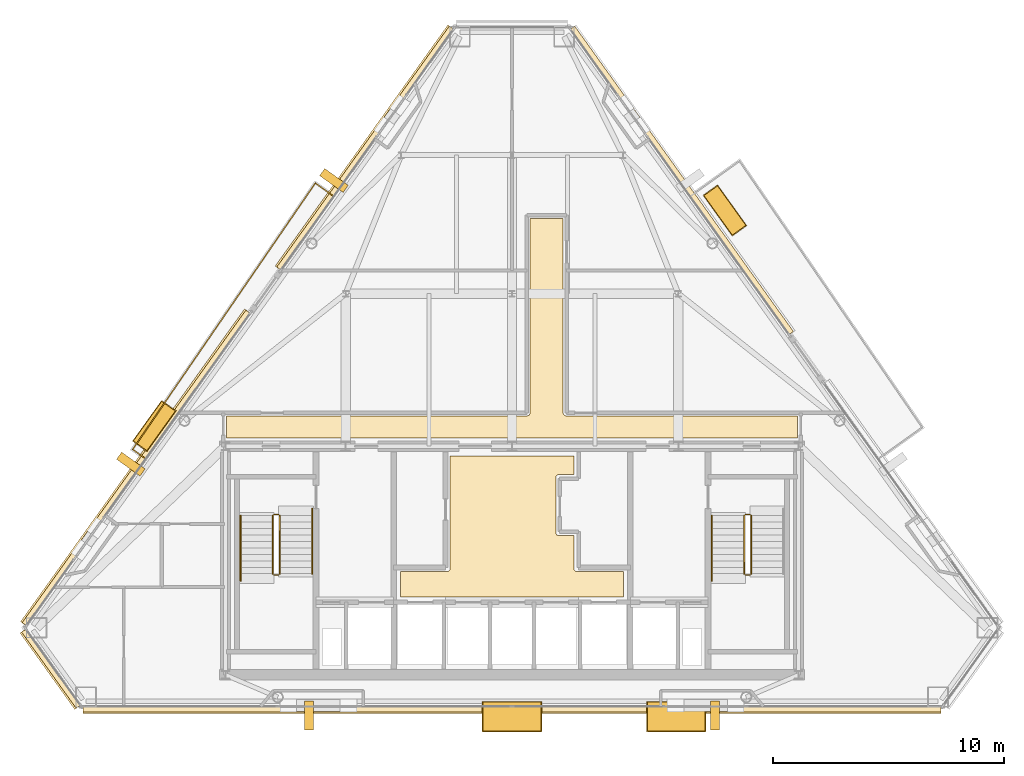
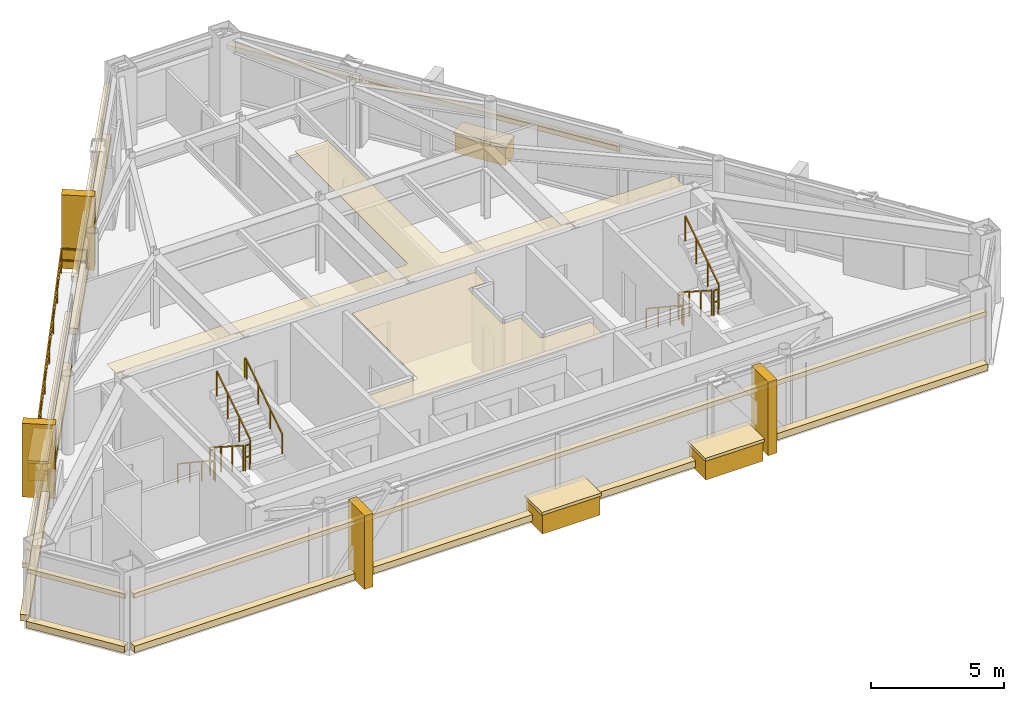
# One storey, part 11 of 12: 23 coverings, 12 railings.
"""IFC4 building model written with IfcOpenShell, lengths in metres."""

from ifc_helpers import new_model, si_unit, direction, frame, origin, origin_2d, place, context, subcontext, project, spatial, polyline, rectangle, outline, extrude, material, layer, layer_set, type_object, element, save


model = new_model("IFC4")

# Units and contexts
model_context = context("Model", 3, precision=1e-05, world=origin(), true_north=direction((0.0, 1.0)))
body_context = subcontext(model_context, "Body", "Model", "MODEL_VIEW")
ifc_project = project(units=[si_unit("LENGTHUNIT", "METRE"), si_unit("AREAUNIT", "SQUARE_METRE"), si_unit("VOLUMEUNIT", "CUBIC_METRE"), si_unit("PLANEANGLEUNIT", "RADIAN"), si_unit("MASSUNIT", "GRAM", prefix="KILO")], contexts=[model_context])

# Site, building, storey
site_placement = place(None, origin())
site = spatial("IfcSite", under=ifc_project, at=site_placement, CompositionType="ELEMENT")
building_placement = place(site_placement, origin())
building = spatial("IfcBuilding", under=site, at=building_placement, Name="Talgorran Terracotta Tower", CompositionType="ELEMENT")
storey_placement = place(building_placement, frame((0.0, 0.0, 252.60009765625)))
storey = spatial("IfcBuildingStorey", under=building, at=storey_placement, Name="L66", CompositionType="ELEMENT", Elevation=252.60009765625)

# Coverings
ifc_material_1 = material(Name="Kiln-Fired Terracotta Ochre Ceramic", Category="masonry")
ifc_layer_1 = layer(ifc_material_1, 0.179931640625, Name="COV_BAGUETTE_TERRACOTTA_SCREEN")
ifc_layer_set_1 = layer_set([ifc_layer_1], Name="Kiln-Fired Terracotta Ochre Ceramic")
covering_type_1 = type_object("IfcCoveringType", Name="COV_BAGUETTE_TERRACOTTA_SCREEN", PredefinedType="CLADDING", material=ifc_layer_set_1)
covering_1_placement = place(storey_placement, frame((-19.938720703125, -13.818115234375, 2.41015625), z_axis=(0.0, 0.0, 1.0), x_axis=(0.582222304811, -0.813029635242, 0.0)))
element("IfcCovering", 1, at=covering_1_placement, inside=storey, type_object=covering_type_1, Name="L66 Terracotta Baguette Solar Screen Assembly F0", PredefinedType="CLADDING", context=body_context, shape_type="SweptSolid", body=[
    extrude(rectangle(XDim=4.050048828125, YDim=0.260009765625, at=origin_2d()), origin(), (0.0, 0.0, 1.0), 0.219970703125),
])
covering_2_placement = place(storey_placement, frame((0.0, -15.563232421875, 2.41015625), z_axis=(0.0, 0.0, 1.0), x_axis=(1.0, 0.0, 0.0)))
element("IfcCovering", 2, at=covering_2_placement, inside=storey, type_object=covering_type_1, Name="L66 Terracotta Baguette Solar Screen Assembly F1", PredefinedType="CLADDING", context=body_context, shape_type="SweptSolid", body=[
    extrude(rectangle(XDim=37.13525390625, YDim=0.260009765625, at=origin_2d()), origin(), (0.0, 0.0, 1.0), 0.219970703125),
])
covering_3_placement = place(storey_placement, frame((7.3408203125, 7.297607421875, 2.41015625), z_axis=(0.0, 0.0, 1.0), x_axis=(-0.582208114678, 0.813039796814, 0.0)))
element("IfcCovering", 3, at=covering_3_placement, inside=storey, type_object=covering_type_1, Name="L66 Terracotta Baguette Solar Screen Assembly F41", PredefinedType="CLADDING", context=body_context, shape_type="SweptSolid", body=[
    extrude(rectangle(XDim=16.254638671875, YDim=0.260009765625, at=origin_2d()), origin(), (0.0, 0.0, 1.0), 0.219970703125),
])
covering_4_placement = place(storey_placement, frame((-6.341552734375, 8.693115234375, 2.41015625), z_axis=(0.0, 0.0, 1.0), x_axis=(-0.582208114678, -0.813039796814, 0.0)))
element("IfcCovering", 4, at=covering_4_placement, inside=storey, type_object=covering_type_1, Name="L66 Terracotta Baguette Solar Screen Assembly F60", PredefinedType="CLADDING", context=body_context, shape_type="SweptSolid", body=[
    extrude(rectangle(XDim=12.822021484375, YDim=0.260009765625, at=origin_2d()), origin(), (0.0, 0.0, 1.0), 0.219970703125),
])
covering_5_placement = place(storey_placement, frame((-16.253662109375, -5.149169921875, 2.41015625), z_axis=(0.0, 0.0, 1.0), x_axis=(-0.582208114678, -0.813039796814, 0.0)))
element("IfcCovering", 5, at=covering_5_placement, inside=storey, type_object=covering_type_1, Name="L66 Terracotta Baguette Solar Screen Assembly F61", PredefinedType="CLADDING", context=body_context, shape_type="SweptSolid", body=[
    extrude(rectangle(XDim=16.628662109375, YDim=0.260009765625, at=origin_2d()), origin(), (0.0, 0.0, 1.0), 0.219970703125),
])
ifc_material_2 = material(Name="Mineral Fibre Acoustic Tile")
ifc_layer_2 = layer(ifc_material_2, 0.02490234375, Name="COV_CEIL_ACOUSTIC")
ifc_layer_set_2 = layer_set([ifc_layer_2], Name="Mineral Fibre Acoustic Tile")
covering_type_2 = type_object("IfcCoveringType", Name="COV_CEIL_ACOUSTIC", PredefinedType="CEILING", material=ifc_layer_set_2)
covering_6_placement = place(storey_placement, frame((0.0, 0.0, 3.2548828125)))
element("IfcCovering", 6, at=covering_6_placement, inside=storey, type_object=covering_type_2, Name="CEIL-L66-2", PredefinedType="CEILING", context=body_context, shape_type="SweptSolid", body=[
    extrude(outline(polyline([(-12.364990234375, -2.885009765625), (0.64990234375, -2.885009765625), (0.66162109375, -2.884521484375), (0.67333984375, -2.8828125), (0.6845703125, -2.8798828125), (0.69287109375, -2.87744140625), (0.7041015625, -2.87353515625), (0.714599609375, -2.868408203125), (0.724853515625, -2.8623046875), (0.734375, -2.85546875), (0.742919921875, -2.847412109375), (0.7509765625, -2.8388671875), (0.756591796875, -2.83203125), (0.763671875, -2.822509765625), (0.769775390625, -2.8125), (0.774658203125, -2.8017578125), (0.77880859375, -2.79052734375), (0.781494140625, -2.779296875), (0.783203125, -2.767578125), (0.783935546875, -2.755615234375), (0.784912109375, 5.6650390625), (2.215087890625, 5.6650390625), (2.215087890625, -2.75), (2.215576171875, -2.76171875), (2.21728515625, -2.773193359375), (2.22021484375, -2.78466796875), (2.22265625, -2.79296875), (2.2265625, -2.803955078125), (2.231689453125, -2.814697265625), (2.237548828125, -2.82470703125), (2.24462890625, -2.834228515625), (2.25244140625, -2.843017578125), (2.26123046875, -2.850830078125), (2.26806640625, -2.8564453125), (2.277587890625, -2.863525390625), (2.28759765625, -2.86962890625), (2.29833984375, -2.874755859375), (2.309326171875, -2.878662109375), (2.32080078125, -2.881591796875), (2.33251953125, -2.88330078125), (2.34423828125, -2.8837890625), (12.364990234375, -2.885009765625), (12.364990234375, -3.844970703125), (7.432861328125, -3.844970703125), (6.968017578125, -3.843017578125), (6.967529296875, -3.843017578125), (0.232666015625, -3.844970703125), (-0.23193359375, -3.843017578125), (-0.232421875, -3.843017578125), (-6.96728515625, -3.844970703125), (-7.431884765625, -3.843017578125), (-7.4326171875, -3.843017578125), (-12.364990234375, -3.844970703125), (-12.364990234375, -2.885009765625)])), origin(), (0.0, 0.0, 1.0), 0.02001953125),
])
ifc_material_3 = material(Name="Flush Moisture-Resistant Plaster")
ifc_layer_3 = layer(ifc_material_3, 0.01806640625, Name="COV_CEIL_PLASTER")
ifc_layer_set_3 = layer_set([ifc_layer_3], Name="Flush Moisture-Resistant Plaster")
covering_type_3 = type_object("IfcCoveringType", Name="COV_CEIL_PLASTER", PredefinedType="CEILING", material=ifc_layer_set_3)
covering_7_placement = place(storey_placement, frame((0.0, 0.0, 3.2548828125)))
element("IfcCovering", 7, at=covering_7_placement, inside=storey, type_object=covering_type_3, Name="CEIL-L66-1", PredefinedType="CEILING", context=body_context, shape_type="SweptSolid", body=[
    extrude(outline(polyline([(4.830078125, -9.6201171875), (4.830078125, -10.72998046875), (-4.830078125, -10.72998046875), (-4.830078125, -9.6201171875), (-2.800048828125, -9.6201171875), (-2.7880859375, -9.619384765625), (-2.776611328125, -9.61767578125), (-2.76513671875, -9.61474609375), (-2.754150390625, -9.61083984375), (-2.743408203125, -9.605712890625), (-2.7333984375, -9.599853515625), (-2.723876953125, -9.5927734375), (-2.715087890625, -9.5849609375), (-2.707275390625, -9.576171875), (-2.7001953125, -9.566650390625), (-2.694091796875, -9.556640625), (-2.689208984375, -9.5458984375), (-2.685302734375, -9.534912109375), (-2.682373046875, -9.5234375), (-2.6806640625, -9.51171875), (-2.679931640625, -9.5), (-2.679931640625, -4.6201171875), (2.679931640625, -4.6201171875), (2.679931640625, -5.429931640625), (2.02001953125, -5.429931640625), (2.00830078125, -5.4306640625), (1.99658203125, -5.432373046875), (1.985107421875, -5.435302734375), (1.97412109375, -5.439208984375), (1.96337890625, -5.444091796875), (1.953369140625, -5.4501953125), (1.94384765625, -5.457275390625), (1.93505859375, -5.465087890625), (1.92724609375, -5.473876953125), (1.920166015625, -5.4833984375), (1.914306640625, -5.493408203125), (1.9091796875, -5.504150390625), (1.9052734375, -5.51513671875), (1.90234375, -5.526611328125), (1.900634765625, -5.5380859375), (1.89990234375, -5.550048828125), (1.89990234375, -7.949951171875), (1.900634765625, -7.9619140625), (1.90234375, -7.973388671875), (1.9052734375, -7.98486328125), (1.9091796875, -7.995849609375), (1.914306640625, -8.006591796875), (1.920166015625, -8.0166015625), (1.92724609375, -8.026123046875), (1.93505859375, -8.034912109375), (1.94384765625, -8.042724609375), (1.953369140625, -8.0498046875), (1.96337890625, -8.055908203125), (1.97412109375, -8.060791015625), (1.985107421875, -8.064697265625), (1.99658203125, -8.067626953125), (2.00830078125, -8.0693359375), (2.02001953125, -8.070068359375), (2.679931640625, -8.070068359375), (2.679931640625, -9.5), (2.6806640625, -9.51171875), (2.682373046875, -9.5234375), (2.685302734375, -9.534912109375), (2.689208984375, -9.5458984375), (2.694091796875, -9.556640625), (2.7001953125, -9.566650390625), (2.707275390625, -9.576171875), (2.715087890625, -9.5849609375), (2.723876953125, -9.5927734375), (2.7333984375, -9.599853515625), (2.743408203125, -9.605712890625), (2.754150390625, -9.61083984375), (2.76513671875, -9.61474609375), (2.776611328125, -9.61767578125), (2.7880859375, -9.619384765625), (2.800048828125, -9.6201171875), (4.830078125, -9.6201171875)])), origin(), (0.0, 0.0, 1.0), 0.02001953125),
])
ifc_material_4 = material(Name="Honed Limestone and Terracotta Planter", Category="masonry")
ifc_layer_4 = layer(ifc_material_4, 0.1201171875, Name="COV_PLANTER_BOX")
ifc_layer_set_4 = layer_set([ifc_layer_4], Name="Honed Limestone and Terracotta Planter")
covering_type_4 = type_object("IfcCoveringType", Name="COV_PLANTER_BOX", PredefinedType="CLADDING", material=ifc_layer_set_4)
for number, where, z_axis, x_axis, name in (
    (8, (0.0, -15.9033203125, -0.18017578125), (0.0, 0.0, 1.0), (1.0, 0.0, 0.0), "L66 Staggered South Facade Planter Box 1"),
    (9, (7.105712890625, -15.9033203125, -0.18017578125), (0.0, 0.0, 1.0), (1.0, 0.0, 0.0), "L66 Staggered South Facade Planter Box 2"),
):
    element("IfcCovering", number, at=place(storey_placement, frame(where, z_axis=z_axis, x_axis=x_axis)), inside=storey, type_object=covering_type_4, Name=name, PredefinedType="CLADDING", context=body_context, shape_type="SweptSolid", body=[
        extrude(rectangle(XDim=2.5, YDim=1.25, at=origin_2d()), origin(), (0.0, 0.0, 1.0), 0.919921875),
    ])
for number, where, z_axis, x_axis, name in (
    (10, (9.215087890625, 6.002685546875, -0.02001953125), (0.0, 0.0, 1.0), (-0.582208114678, 0.813039796814, 0.0), "L66 Staggered Balcony Planter Box BAL-NE"),
    (11, (-15.482177734375, -3.324462890625, -0.02001953125), (0.0, 0.0, 1.0), (-0.582208114678, -0.813039796814, 0.0), "L66 Staggered Balcony Planter Box BAL-NW"),
):
    element("IfcCovering", number, at=place(storey_placement, frame(where, z_axis=z_axis, x_axis=x_axis)), inside=storey, type_object=covering_type_4, Name=name, PredefinedType="CLADDING", context=body_context, shape_type="SweptSolid", body=[
        extrude(rectangle(XDim=2.10009765625, YDim=0.719970703125, at=origin_2d()), origin(), (0.0, 0.0, 1.0), 0.860107421875),
    ])
ifc_material_5 = material(Name="Kiln-Fired Terracotta Planter Rim", Category="masonry")
ifc_layer_5 = layer(ifc_material_5, 0.10009765625, Name="COV_PLANTER_RIM")
ifc_layer_set_5 = layer_set([ifc_layer_5], Name="Kiln-Fired Terracotta Planter Rim")
covering_type_5 = type_object("IfcCoveringType", Name="COV_PLANTER_RIM", PredefinedType="CLADDING", material=ifc_layer_set_5)
for number, where, z_axis, x_axis, name in (
    (12, (0.0, -15.9033203125, 0.7099609375), (0.0, 0.0, 1.0), (1.0, 0.0, 0.0), "L66 South Planter Terracotta Rim 1"),
    (13, (7.105712890625, -15.9033203125, 0.7099609375), (0.0, 0.0, 1.0), (1.0, 0.0, 0.0), "L66 South Planter Terracotta Rim 2"),
):
    element("IfcCovering", number, at=place(storey_placement, frame(where, z_axis=z_axis, x_axis=x_axis)), inside=storey, type_object=covering_type_5, Name=name, PredefinedType="CLADDING", context=body_context, shape_type="SweptSolid", body=[
        extrude(rectangle(XDim=2.580078125, YDim=1.320068359375, at=origin_2d()), origin(), (0.0, 0.0, 1.0), 0.139892578125),
    ])
for number, where, z_axis, x_axis, name in (
    (14, (9.215087890625, 6.002685546875, 0.7998046875), (0.0, 0.0, 1.0), (-0.582208114678, 0.813039796814, 0.0), "L66 Balcony Planter Terracotta Rim BAL-NE"),
    (15, (-15.482177734375, -3.324462890625, 0.7998046875), (0.0, 0.0, 1.0), (-0.582208114678, -0.813039796814, 0.0), "L66 Balcony Planter Terracotta Rim BAL-NW"),
):
    element("IfcCovering", number, at=place(storey_placement, frame(where, z_axis=z_axis, x_axis=x_axis)), inside=storey, type_object=covering_type_5, Name=name, PredefinedType="CLADDING", context=body_context, shape_type="SweptSolid", body=[
        extrude(rectangle(XDim=2.179931640625, YDim=0.780029296875, at=origin_2d()), origin(), (0.0, 0.0, 1.0), 0.1201171875),
    ])
ifc_material_6 = material(Name="Honed Limestone Cladding", Category="masonry")
ifc_layer_6 = layer(ifc_material_6, 0.094970703125, Name="COV_PORTAL_LIME")
ifc_layer_set_6 = layer_set([ifc_layer_6], Name="Honed Limestone Cladding")
covering_type_6 = type_object("IfcCoveringType", Name="COV_PORTAL_LIME", PredefinedType="CLADDING", material=ifc_layer_set_6)
covering_8_placement = place(storey_placement, frame((-19.97119140625, -13.841552734375, -0.0400390625), z_axis=(0.0, 0.0, 1.0), x_axis=(0.582222304811, -0.813029635242, 0.0)))
element("IfcCovering", 16, at=covering_8_placement, inside=storey, type_object=covering_type_6, Name="L66 Striped Postmodern Portal Cladding Band F0", PredefinedType="CLADDING", context=body_context, shape_type="SweptSolid", body=[
    extrude(rectangle(XDim=4.070068359375, YDim=0.340087890625, at=origin_2d()), origin(), (0.0, 0.0, 1.0), 0.300048828125),
])
covering_9_placement = place(storey_placement, frame((0.0, -15.603271484375, -0.0400390625), z_axis=(0.0, 0.0, 1.0), x_axis=(1.0, 0.0, 0.0)))
element("IfcCovering", 17, at=covering_9_placement, inside=storey, type_object=covering_type_6, Name="L66 Striped Postmodern Portal Cladding Band F1", PredefinedType="CLADDING", context=body_context, shape_type="SweptSolid", body=[
    extrude(rectangle(XDim=37.1552734375, YDim=0.340087890625, at=origin_2d()), origin(), (0.0, 0.0, 1.0), 0.300048828125),
])
covering_10_placement = place(storey_placement, frame((-6.3740234375, 8.71630859375, -0.0400390625), z_axis=(0.0, 0.0, 1.0), x_axis=(-0.582208114678, -0.813039796814, 0.0)))
element("IfcCovering", 18, at=covering_10_placement, inside=storey, type_object=covering_type_6, Name="L66 Striped Postmodern Portal Cladding Band F60", PredefinedType="CLADDING", context=body_context, shape_type="SweptSolid", body=[
    extrude(rectangle(XDim=12.842041015625, YDim=0.340087890625, at=origin_2d()), origin(), (0.0, 0.0, 1.0), 0.300048828125),
])
covering_11_placement = place(storey_placement, frame((-16.2861328125, -5.1259765625, -0.0400390625), z_axis=(0.0, 0.0, 1.0), x_axis=(-0.582208114678, -0.813039796814, 0.0)))
element("IfcCovering", 19, at=covering_11_placement, inside=storey, type_object=covering_type_6, Name="L66 Striped Postmodern Portal Cladding Band F61", PredefinedType="CLADDING", context=body_context, shape_type="SweptSolid", body=[
    extrude(rectangle(XDim=16.648681640625, YDim=0.340087890625, at=origin_2d()), origin(), (0.0, 0.0, 1.0), 0.300048828125),
])
for number, where, z_axis, x_axis, name in (
    (20, (8.788818359375, -15.86328125, -0.050048828125), (0.0, 0.0, 1.0), (1.0, 0.0, 0.0), "L66 White Striped Portal Fin F1-2"),
    (21, (-16.4970703125, -4.9736328125, -0.050048828125), (0.0, 0.0, 1.0), (-0.582208114678, -0.813039796814, 0.0), "L66 White Striped Portal Fin F5-2"),
):
    element("IfcCovering", number, at=place(storey_placement, frame(where, z_axis=z_axis, x_axis=x_axis)), inside=storey, type_object=covering_type_6, Name=name, PredefinedType="CLADDING", context=body_context, shape_type="SweptSolid", body=[
        extrude(rectangle(XDim=0.3798828125, YDim=1.25, at=origin_2d()), origin(), (0.0, 0.0, 1.0), 3.39501953125),
    ])
ifc_material_7 = material(Name="Kiln-Fired Terracotta Cladding", Category="masonry")
ifc_layer_7 = layer(ifc_material_7, 0.090087890625, Name="COV_PORTAL_TERRA")
ifc_layer_set_7 = layer_set([ifc_layer_7], Name="Kiln-Fired Terracotta Cladding")
covering_type_7 = type_object("IfcCoveringType", Name="COV_PORTAL_TERRA", PredefinedType="CLADDING", material=ifc_layer_set_7)
for number, where, z_axis, x_axis, name in (
    (22, (-8.788818359375, -15.86328125, -0.050048828125), (0.0, 0.0, 1.0), (1.0, 0.0, 0.0), "L66 Terracotta Striped Portal Fin F1-1"),
    (23, (-7.708251953125, 7.2998046875, -0.050048828125), (0.0, 0.0, 1.0), (-0.582208114678, -0.813039796814, 0.0), "L66 Terracotta Striped Portal Fin F5-1"),
):
    element("IfcCovering", number, at=place(storey_placement, frame(where, z_axis=z_axis, x_axis=x_axis)), inside=storey, type_object=covering_type_7, Name=name, PredefinedType="CLADDING", context=body_context, shape_type="SweptSolid", body=[
        extrude(rectangle(XDim=0.3798828125, YDim=1.25, at=origin_2d()), origin(), (0.0, 0.0, 1.0), 3.39501953125),
    ])

# Railings
ifc_material_8 = material(Name="Laminated Glass and Stainless Steel 316", Category="steel")
railing_type_1 = type_object("IfcRailingType", Name="RL_BALCONY_1150", PredefinedType="BALUSTRADE", material=ifc_material_8)
railing_1_placement = place(storey_placement, frame((-7.726318359375, 6.62158203125, 0.0)))
element("IfcRailing", 24, at=railing_1_placement, inside=storey, type_object=railing_type_1, Name="RL-L66-BAL-BAL-NW", PredefinedType="BALUSTRADE", context=body_context, shape_type="SweptSolid", body=[
    extrude(rectangle(XDim=0.048095703125, YDim=0.048095703125, at=origin_2d()), frame((0.0, 0.0, 1.1259765625), z_axis=(-0.813034054618, 0.582216133434, 0.0), x_axis=(-0.582216133434, -0.813034054618, 0.0)), (0.0, 0.0, 1.0), 0.9677734375),
    extrude(rectangle(XDim=0.048095703125, YDim=0.048095703125, at=origin_2d()), frame((0.0, 0.0, 0.597900390625), z_axis=(-0.813034054618, 0.582216133434, 0.0), x_axis=(-0.582216133434, -0.813034054618, 0.0)), (0.0, 0.0, 1.0), 0.9677734375),
    extrude(rectangle(XDim=0.048095703125, YDim=0.048095703125, at=origin_2d()), frame((-0.786865234375, 0.5634765625, 1.1259765625), z_axis=(-0.56562986417, -0.824659236751, 0.0), x_axis=(0.824659236751, -0.56562986417, 0.0)), (0.0, 0.0, 1.0), 13.974853515625),
    extrude(rectangle(XDim=0.048095703125, YDim=0.048095703125, at=origin_2d()), frame((-0.786865234375, 0.5634765625, 0.597900390625), z_axis=(-0.56562986417, -0.824659236751, 0.0), x_axis=(0.824659236751, -0.56562986417, 0.0)), (0.0, 0.0, 1.0), 13.974853515625),
    extrude(rectangle(XDim=0.048095703125, YDim=0.048095703125, at=origin_2d()), frame((-8.69140625, -10.9609375, 1.1259765625), z_axis=(0.812985924002, -0.582283339428, 0.0), x_axis=(0.582283339428, 0.812985924002, 0.0)), (0.0, 0.0, 1.0), 0.6845703125),
    extrude(rectangle(XDim=0.048095703125, YDim=0.048095703125, at=origin_2d()), frame((-8.69140625, -10.9609375, 0.597900390625), z_axis=(0.812985924002, -0.582283339428, 0.0), x_axis=(0.582283339428, 0.812985924002, 0.0)), (0.0, 0.0, 1.0), 0.6845703125),
    extrude(rectangle(XDim=0.0419921875, YDim=0.0419921875, at=origin_2d()), origin(), (0.0, 0.0, 1.0), 1.101806640625),
    extrude(rectangle(XDim=0.0419921875, YDim=0.0419921875, at=origin_2d()), frame((-0.786865234375, 0.5634765625, 0.0)), (0.0, 0.0, 1.0), 1.101806640625),
    extrude(rectangle(XDim=0.0419921875, YDim=0.0419921875, at=origin_2d()), frame((-1.916015625, -1.082763671875, 0.0)), (0.0, 0.0, 1.0), 1.101806640625),
    extrude(rectangle(XDim=0.0419921875, YDim=0.0419921875, at=origin_2d()), frame((-3.04541015625, -2.729248046875, 0.0)), (0.0, 0.0, 1.0), 1.101806640625),
    extrude(rectangle(XDim=0.0419921875, YDim=0.0419921875, at=origin_2d()), frame((-4.174560546875, -4.37548828125, 0.0)), (0.0, 0.0, 1.0), 1.101806640625),
    extrude(rectangle(XDim=0.0419921875, YDim=0.0419921875, at=origin_2d()), frame((-5.3037109375, -6.02197265625, 0.0)), (0.0, 0.0, 1.0), 1.101806640625),
    extrude(rectangle(XDim=0.0419921875, YDim=0.0419921875, at=origin_2d()), frame((-6.432861328125, -7.668212890625, 0.0)), (0.0, 0.0, 1.0), 1.101806640625),
    extrude(rectangle(XDim=0.0419921875, YDim=0.0419921875, at=origin_2d()), frame((-7.562255859375, -9.314697265625, 0.0)), (0.0, 0.0, 1.0), 1.101806640625),
    extrude(rectangle(XDim=0.0419921875, YDim=0.0419921875, at=origin_2d()), frame((-8.69140625, -10.9609375, 0.0)), (0.0, 0.0, 1.0), 1.101806640625),
    extrude(rectangle(XDim=0.0419921875, YDim=0.0419921875, at=origin_2d()), frame((-8.134765625, -11.359619140625, 0.0)), (0.0, 0.0, 1.0), 1.101806640625),
])
ifc_material_9 = material(Name="Steel S355 (300PLUS)", Category="steel")
railing_type_2 = type_object("IfcRailingType", Name="RL_HANDRAIL_920", PredefinedType="HANDRAIL", material=ifc_material_9)
railing_2_placement = place(storey_placement, frame((-11.75, -7.199951171875, 0.179931640625)))
element("IfcRailing", 25, at=railing_2_placement, inside=storey, type_object=railing_type_2, Name="L66 ST-01 stair handrail 1", PredefinedType="HANDRAIL", context=body_context, shape_type="SweptSolid", body=[
    extrude(rectangle(XDim=0.048095703125, YDim=0.048095703125, at=origin_2d()), frame((0.0, 0.0, 0.89599609375), z_axis=(0.0, -0.832038719335, 0.554717558338), x_axis=(1.0, 0.0, 0.0)), (0.0, 0.0, 1.0), 3.244873046875),
    extrude(rectangle(XDim=0.048095703125, YDim=0.048095703125, at=origin_2d()), frame((0.0, -2.699951171875, 2.69580078125), z_axis=(0.0, -1.0, 0.0), x_axis=(1.0, 0.0, 0.0)), (0.0, 0.0, 1.0), 0.1201171875),
    extrude(rectangle(XDim=0.0419921875, YDim=0.0419921875, at=origin_2d()), origin(), (0.0, 0.0, 1.0), 0.871826171875),
    extrude(rectangle(XDim=0.0419921875, YDim=0.0419921875, at=origin_2d()), frame((0.0, -0.89990234375, 0.60009765625)), (0.0, 0.0, 1.0), 0.871826171875),
    extrude(rectangle(XDim=0.0419921875, YDim=0.0419921875, at=origin_2d()), frame((0.0, -1.800048828125, 1.199951171875)), (0.0, 0.0, 1.0), 0.871826171875),
    extrude(rectangle(XDim=0.0419921875, YDim=0.0419921875, at=origin_2d()), frame((0.0, -2.699951171875, 1.800048828125)), (0.0, 0.0, 1.0), 0.871826171875),
    extrude(rectangle(XDim=0.0419921875, YDim=0.0419921875, at=origin_2d()), frame((0.0, -2.820068359375, 1.800048828125)), (0.0, 0.0, 1.0), 0.871826171875),
])
railing_3_placement = place(storey_placement, frame((-8.64990234375, -9.719970703125, 1.97998046875)))
element("IfcRailing", 26, at=railing_3_placement, inside=storey, type_object=railing_type_2, Name="L66 ST-01 stair handrail 2", PredefinedType="HANDRAIL", context=body_context, shape_type="SweptSolid", body=[
    extrude(rectangle(XDim=0.048095703125, YDim=0.048095703125, at=origin_2d()), frame((0.0, 0.0, 0.89599609375), z_axis=(0.0, 0.832073444223, 0.554665469827), x_axis=(-1.0, 0.0, 0.0)), (0.0, 0.0, 1.0), 3.244873046875),
    extrude(rectangle(XDim=0.048095703125, YDim=0.048095703125, at=origin_2d()), frame((0.0, 2.699951171875, 2.69580078125), z_axis=(0.0, 1.0, 0.0), x_axis=(-1.0, 0.0, 0.0)), (0.0, 0.0, 1.0), 0.1201171875),
    extrude(rectangle(XDim=0.0419921875, YDim=0.0419921875, at=origin_2d()), origin(), (0.0, 0.0, 1.0), 0.871826171875),
    extrude(rectangle(XDim=0.0419921875, YDim=0.0419921875, at=origin_2d()), frame((0.0, 0.89990234375, 0.599853515625)), (0.0, 0.0, 1.0), 0.871826171875),
    extrude(rectangle(XDim=0.0419921875, YDim=0.0419921875, at=origin_2d()), frame((0.0, 1.800048828125, 1.199951171875)), (0.0, 0.0, 1.0), 0.871826171875),
    extrude(rectangle(XDim=0.0419921875, YDim=0.0419921875, at=origin_2d()), frame((0.0, 2.699951171875, 1.7998046875)), (0.0, 0.0, 1.0), 0.871826171875),
    extrude(rectangle(XDim=0.0419921875, YDim=0.0419921875, at=origin_2d()), frame((0.0, 2.820068359375, 1.7998046875)), (0.0, 0.0, 1.0), 0.871826171875),
])
railing_4_placement = place(storey_placement, frame((8.64990234375, -7.199951171875, 0.179931640625)))
element("IfcRailing", 27, at=railing_4_placement, inside=storey, type_object=railing_type_2, Name="L66 ST-02 stair handrail 1", PredefinedType="HANDRAIL", context=body_context, shape_type="SweptSolid", body=[
    extrude(rectangle(XDim=0.048095703125, YDim=0.048095703125, at=origin_2d()), frame((0.0, 0.0, 0.89599609375), z_axis=(0.0, -0.832038719335, 0.554717558338), x_axis=(1.0, 0.0, 0.0)), (0.0, 0.0, 1.0), 3.244873046875),
    extrude(rectangle(XDim=0.048095703125, YDim=0.048095703125, at=origin_2d()), frame((0.0, -2.699951171875, 2.69580078125), z_axis=(0.0, -1.0, 0.0), x_axis=(1.0, 0.0, 0.0)), (0.0, 0.0, 1.0), 0.1201171875),
    extrude(rectangle(XDim=0.0419921875, YDim=0.0419921875, at=origin_2d()), origin(), (0.0, 0.0, 1.0), 0.871826171875),
    extrude(rectangle(XDim=0.0419921875, YDim=0.0419921875, at=origin_2d()), frame((0.0, -0.89990234375, 0.60009765625)), (0.0, 0.0, 1.0), 0.871826171875),
    extrude(rectangle(XDim=0.0419921875, YDim=0.0419921875, at=origin_2d()), frame((0.0, -1.800048828125, 1.199951171875)), (0.0, 0.0, 1.0), 0.871826171875),
    extrude(rectangle(XDim=0.0419921875, YDim=0.0419921875, at=origin_2d()), frame((0.0, -2.699951171875, 1.800048828125)), (0.0, 0.0, 1.0), 0.871826171875),
    extrude(rectangle(XDim=0.0419921875, YDim=0.0419921875, at=origin_2d()), frame((0.0, -2.820068359375, 1.800048828125)), (0.0, 0.0, 1.0), 0.871826171875),
])
railing_type_3 = type_object("IfcRailingType", Name="RL_STAIR_GUARD", PredefinedType="GUARDRAIL", material=ifc_material_9)
railing_5_placement = place(storey_placement, frame((-10.35009765625, -7.199951171875, 0.179931640625)))
element("IfcRailing", 28, at=railing_5_placement, inside=storey, type_object=railing_type_3, Name="L66 ST-01 stair guard 1", PredefinedType="GUARDRAIL", context=body_context, shape_type="SweptSolid", body=[
    extrude(rectangle(XDim=0.048095703125, YDim=0.048095703125, at=origin_2d()), frame((0.0, 0.0, 1.15576171875), z_axis=(0.0, -0.841199657755, 0.540724639528), x_axis=(1.0, 0.0, 0.0)), (0.0, 0.0, 1.0), 2.995849609375),
    extrude(rectangle(XDim=0.0419921875, YDim=0.0419921875, at=origin_2d()), origin(), (0.0, 0.0, 1.0), 1.1318359375),
    extrude(rectangle(XDim=0.0419921875, YDim=0.0419921875, at=origin_2d()), frame((0.0, -0.840087890625, 0.5400390625)), (0.0, 0.0, 1.0), 1.1318359375),
    extrude(rectangle(XDim=0.0419921875, YDim=0.0419921875, at=origin_2d()), frame((0.0, -1.679931640625, 1.079833984375)), (0.0, 0.0, 1.0), 1.1318359375),
    extrude(rectangle(XDim=0.0419921875, YDim=0.0419921875, at=origin_2d()), frame((0.0, -2.52001953125, 1.619873046875)), (0.0, 0.0, 1.0), 1.1318359375),
])
railing_6_placement = place(storey_placement, frame((-10.300048828125, -9.77001953125, 1.7998046875)))
element("IfcRailing", 29, at=railing_6_placement, inside=storey, type_object=railing_type_3, Name="L66 ST-01 stair guard 2", PredefinedType="GUARDRAIL", context=body_context, shape_type="SweptSolid", body=[
    extrude(rectangle(XDim=0.048095703125, YDim=0.048095703125, at=origin_2d()), frame((0.0, 0.0, 1.15576171875), z_axis=(1.0, 0.0, 0.0), x_axis=(0.0, 1.0, 0.0)), (0.0, 0.0, 1.0), 0.199951171875),
    extrude(rectangle(XDim=0.048095703125, YDim=0.048095703125, at=origin_2d()), frame((0.0, 0.0, 0.613525390625), z_axis=(1.0, 0.0, 0.0), x_axis=(0.0, 1.0, 0.0)), (0.0, 0.0, 1.0), 0.199951171875),
    extrude(rectangle(XDim=0.0419921875, YDim=0.0419921875, at=origin_2d()), origin(), (0.0, 0.0, 1.0), 1.1318359375),
    extrude(rectangle(XDim=0.0419921875, YDim=0.0419921875, at=origin_2d()), frame((0.199951171875, 0.0, 0.0)), (0.0, 0.0, 1.0), 1.1318359375),
])
railing_7_placement = place(storey_placement, frame((-10.050048828125, -9.719970703125, 1.97998046875)))
element("IfcRailing", 30, at=railing_7_placement, inside=storey, type_object=railing_type_3, Name="L66 ST-01 stair guard 3", PredefinedType="GUARDRAIL", context=body_context, shape_type="SweptSolid", body=[
    extrude(rectangle(XDim=0.048095703125, YDim=0.048095703125, at=origin_2d()), frame((0.0, 0.0, 1.15576171875), z_axis=(0.0, 0.841199657755, 0.540724639528), x_axis=(-1.0, 0.0, 0.0)), (0.0, 0.0, 1.0), 2.995849609375),
    extrude(rectangle(XDim=0.0419921875, YDim=0.0419921875, at=origin_2d()), origin(), (0.0, 0.0, 1.0), 1.1318359375),
    extrude(rectangle(XDim=0.0419921875, YDim=0.0419921875, at=origin_2d()), frame((0.0, 0.840087890625, 0.5400390625)), (0.0, 0.0, 1.0), 1.1318359375),
    extrude(rectangle(XDim=0.0419921875, YDim=0.0419921875, at=origin_2d()), frame((0.0, 1.679931640625, 1.079833984375)), (0.0, 0.0, 1.0), 1.1318359375),
    extrude(rectangle(XDim=0.0419921875, YDim=0.0419921875, at=origin_2d()), frame((0.0, 2.52001953125, 1.619873046875)), (0.0, 0.0, 1.0), 1.1318359375),
])
railing_8_placement = place(storey_placement, frame((-10.300048828125, -7.14990234375, 0.0)))
element("IfcRailing", 31, at=railing_8_placement, inside=storey, type_object=railing_type_3, Name="L66 ST-01 stair guard 4", PredefinedType="GUARDRAIL", context=body_context, shape_type="SweptSolid", body=[
    extrude(rectangle(XDim=0.048095703125, YDim=0.048095703125, at=origin_2d()), frame((0.0, 0.0, 1.15576171875), z_axis=(1.0, 0.0, 0.0), x_axis=(0.0, 1.0, 0.0)), (0.0, 0.0, 1.0), 0.199951171875),
    extrude(rectangle(XDim=0.048095703125, YDim=0.048095703125, at=origin_2d()), frame((0.0, 0.0, 0.613525390625), z_axis=(1.0, 0.0, 0.0), x_axis=(0.0, 1.0, 0.0)), (0.0, 0.0, 1.0), 0.199951171875),
    extrude(rectangle(XDim=0.0419921875, YDim=0.0419921875, at=origin_2d()), origin(), (0.0, 0.0, 1.0), 1.1318359375),
    extrude(rectangle(XDim=0.0419921875, YDim=0.0419921875, at=origin_2d()), frame((0.199951171875, 0.0, 0.0)), (0.0, 0.0, 1.0), 1.1318359375),
])
railing_9_placement = place(storey_placement, frame((10.050048828125, -7.199951171875, 0.179931640625)))
element("IfcRailing", 32, at=railing_9_placement, inside=storey, type_object=railing_type_3, Name="L66 ST-02 stair guard 1", PredefinedType="GUARDRAIL", context=body_context, shape_type="SweptSolid", body=[
    extrude(rectangle(XDim=0.048095703125, YDim=0.048095703125, at=origin_2d()), frame((0.0, 0.0, 1.15576171875), z_axis=(0.0, -0.841199657755, 0.540724639528), x_axis=(1.0, 0.0, 0.0)), (0.0, 0.0, 1.0), 2.995849609375),
    extrude(rectangle(XDim=0.0419921875, YDim=0.0419921875, at=origin_2d()), origin(), (0.0, 0.0, 1.0), 1.1318359375),
    extrude(rectangle(XDim=0.0419921875, YDim=0.0419921875, at=origin_2d()), frame((0.0, -0.840087890625, 0.5400390625)), (0.0, 0.0, 1.0), 1.1318359375),
    extrude(rectangle(XDim=0.0419921875, YDim=0.0419921875, at=origin_2d()), frame((0.0, -1.679931640625, 1.079833984375)), (0.0, 0.0, 1.0), 1.1318359375),
    extrude(rectangle(XDim=0.0419921875, YDim=0.0419921875, at=origin_2d()), frame((0.0, -2.52001953125, 1.619873046875)), (0.0, 0.0, 1.0), 1.1318359375),
])
railing_10_placement = place(storey_placement, frame((10.10009765625, -9.77001953125, 1.7998046875)))
element("IfcRailing", 33, at=railing_10_placement, inside=storey, type_object=railing_type_3, Name="L66 ST-02 stair guard 2", PredefinedType="GUARDRAIL", context=body_context, shape_type="SweptSolid", body=[
    extrude(rectangle(XDim=0.048095703125, YDim=0.048095703125, at=origin_2d()), frame((0.0, 0.0, 1.15576171875), z_axis=(1.0, 0.0, 0.0), x_axis=(0.0, 1.0, 0.0)), (0.0, 0.0, 1.0), 0.199951171875),
    extrude(rectangle(XDim=0.048095703125, YDim=0.048095703125, at=origin_2d()), frame((0.0, 0.0, 0.613525390625), z_axis=(1.0, 0.0, 0.0), x_axis=(0.0, 1.0, 0.0)), (0.0, 0.0, 1.0), 0.199951171875),
    extrude(rectangle(XDim=0.0419921875, YDim=0.0419921875, at=origin_2d()), origin(), (0.0, 0.0, 1.0), 1.1318359375),
    extrude(rectangle(XDim=0.0419921875, YDim=0.0419921875, at=origin_2d()), frame((0.199951171875, 0.0, 0.0)), (0.0, 0.0, 1.0), 1.1318359375),
])
railing_11_placement = place(storey_placement, frame((10.35009765625, -9.719970703125, 1.97998046875)))
element("IfcRailing", 34, at=railing_11_placement, inside=storey, type_object=railing_type_3, Name="L66 ST-02 stair guard 3", PredefinedType="GUARDRAIL", context=body_context, shape_type="SweptSolid", body=[
    extrude(rectangle(XDim=0.048095703125, YDim=0.048095703125, at=origin_2d()), frame((0.0, 0.0, 1.15576171875), z_axis=(0.0, 0.841199657755, 0.540724639528), x_axis=(-1.0, 0.0, 0.0)), (0.0, 0.0, 1.0), 2.995849609375),
    extrude(rectangle(XDim=0.0419921875, YDim=0.0419921875, at=origin_2d()), origin(), (0.0, 0.0, 1.0), 1.1318359375),
    extrude(rectangle(XDim=0.0419921875, YDim=0.0419921875, at=origin_2d()), frame((0.0, 0.840087890625, 0.5400390625)), (0.0, 0.0, 1.0), 1.1318359375),
    extrude(rectangle(XDim=0.0419921875, YDim=0.0419921875, at=origin_2d()), frame((0.0, 1.679931640625, 1.079833984375)), (0.0, 0.0, 1.0), 1.1318359375),
    extrude(rectangle(XDim=0.0419921875, YDim=0.0419921875, at=origin_2d()), frame((0.0, 2.52001953125, 1.619873046875)), (0.0, 0.0, 1.0), 1.1318359375),
])
railing_12_placement = place(storey_placement, frame((10.10009765625, -7.14990234375, 0.0)))
element("IfcRailing", 35, at=railing_12_placement, inside=storey, type_object=railing_type_3, Name="L66 ST-02 stair guard 4", PredefinedType="GUARDRAIL", context=body_context, shape_type="SweptSolid", body=[
    extrude(rectangle(XDim=0.048095703125, YDim=0.048095703125, at=origin_2d()), frame((0.0, 0.0, 1.15576171875), z_axis=(1.0, 0.0, 0.0), x_axis=(0.0, 1.0, 0.0)), (0.0, 0.0, 1.0), 0.199951171875),
    extrude(rectangle(XDim=0.048095703125, YDim=0.048095703125, at=origin_2d()), frame((0.0, 0.0, 0.613525390625), z_axis=(1.0, 0.0, 0.0), x_axis=(0.0, 1.0, 0.0)), (0.0, 0.0, 1.0), 0.199951171875),
    extrude(rectangle(XDim=0.0419921875, YDim=0.0419921875, at=origin_2d()), origin(), (0.0, 0.0, 1.0), 1.1318359375),
    extrude(rectangle(XDim=0.0419921875, YDim=0.0419921875, at=origin_2d()), frame((0.199951171875, 0.0, 0.0)), (0.0, 0.0, 1.0), 1.1318359375),
])

save(model, "model.ifc")
